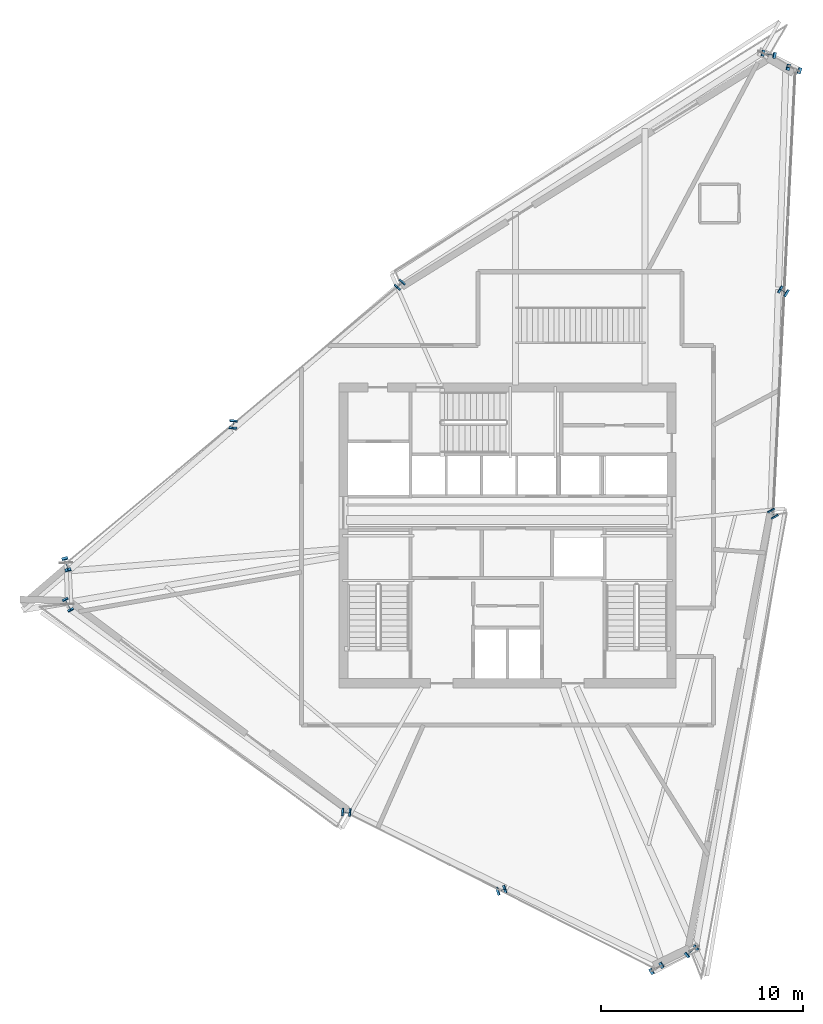
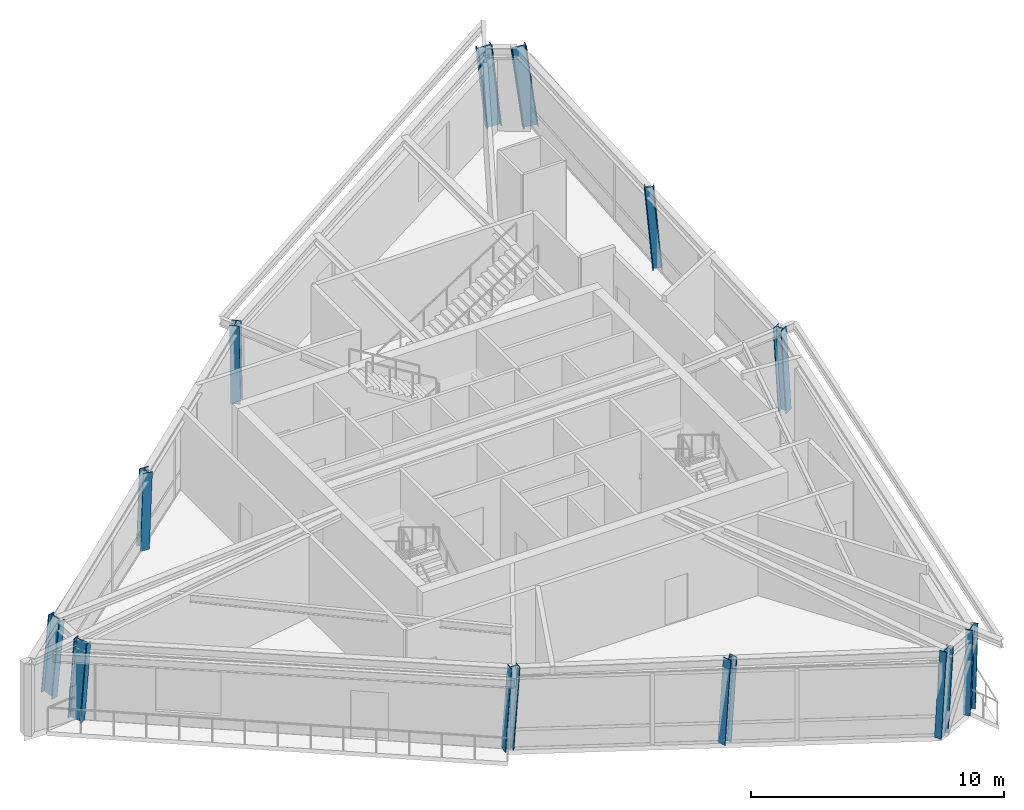
# One storey, part 1 of 21: 12 columns.
"""IFC4 building model written with IfcOpenShell, lengths in metres."""

from ifc_helpers import new_model, si_unit, direction, frame, origin, origin_2d, place, context, subcontext, project, spatial, i_section, extrude, source, transform, mapped, material, material_profile, profile_set, type_object, element, save


model = new_model("IFC4")

# Units and contexts
model_context = context("Model", 3, precision=1e-05, world=origin(), true_north=direction((0.0, 1.0)))
body_context = subcontext(model_context, "Body", "Model", "MODEL_VIEW")
ifc_project = project(units=[si_unit("LENGTHUNIT", "METRE"), si_unit("AREAUNIT", "SQUARE_METRE"), si_unit("VOLUMEUNIT", "CUBIC_METRE"), si_unit("PLANEANGLEUNIT", "RADIAN"), si_unit("MASSUNIT", "GRAM", prefix="KILO")], contexts=[model_context])

# Site, building, storey
site_placement = place(None, origin())
site = spatial("IfcSite", under=ifc_project, at=site_placement, CompositionType="ELEMENT")
building_placement = place(site_placement, origin())
building = spatial("IfcBuilding", under=site, at=building_placement, Name="Olszyna Solenne Hotel", CompositionType="ELEMENT")
storey_placement = place(building_placement, frame((0.0, 0.0, 277.699951171875)))
storey = spatial("IfcBuildingStorey", under=building, at=storey_placement, Name="L74", CompositionType="ELEMENT", Elevation=277.699951171875)

# Columns
ifc_material_1 = material(Name="Steel S460M", Category="steel")
ifc_material_profile_1 = material_profile(ifc_material_1, i_section(OverallWidth=0.304931640625, OverallDepth=0.6201171875, WebThickness=0.02099609375, FlangeThickness=0.0400390625, at=origin_2d()), Name="HEM 600", Category="load-bearing")
ifc_profile_set_1 = profile_set([ifc_material_profile_1], Name="Steel S460M")
column_type_1 = type_object("IfcColumnType", Name="COL-K3", PredefinedType="COLUMN", material=ifc_profile_set_1)
shared_shape_1 = source(origin(), body_context, "Body", "SweptSolid", [
    extrude(i_section(OverallWidth=0.304931640625, OverallDepth=0.6201171875, WebThickness=0.02099609375, FlangeThickness=0.0400390625, at=origin_2d()), origin(), (0.0, 0.0, 1.0), 3.96484375),
])
column_1_placement = place(storey_placement, frame((52.25048828125, 49.66845703125, 0.0), z_axis=(-0.116565767107, 0.036761628612, 0.992502395262), x_axis=(-0.30076967496, -0.953696808543, 0.0)))
element("IfcColumn", 1, at=column_1_placement, inside=storey, type_object=column_type_1, Name="Perimeter framed-tube column COL-K3 C-L74-01", PredefinedType="COLUMN", context=body_context, shape_type="MappedRepresentation", body=[
    mapped(shared_shape_1, transform((0.0, 0.0, 0.0), x_axis=(1.0, 0.0, 0.0), y_axis=(0.0, 1.0, 0.0), z_axis=(0.0, 0.0, 1.0), scale=1.0)),
])
shared_shape_2 = source(origin(), body_context, "Body", "SweptSolid", [
    extrude(i_section(OverallWidth=0.304931640625, OverallDepth=0.6201171875, WebThickness=0.02099609375, FlangeThickness=0.0400390625, at=origin_2d()), origin(), (0.0, 0.0, 1.0), 3.954833984375),
])
column_2_placement = place(storey_placement, frame((50.9912109375, 50.40869140625, 0.0), z_axis=(-0.098091029512, 0.019568820865, 0.994985030631), x_axis=(-0.195641369689, -0.980675509262, 0.0)))
element("IfcColumn", 2, at=column_2_placement, inside=storey, type_object=column_type_1, Name="Perimeter framed-tube column COL-K3 C-L74-02", PredefinedType="COLUMN", context=body_context, shape_type="MappedRepresentation", body=[
    mapped(shared_shape_2, transform((0.0, 0.0, 0.0), x_axis=(1.0, 0.0, 0.0), y_axis=(0.0, 1.0, 0.0), z_axis=(0.0, 0.0, 1.0), scale=1.0)),
])
ifc_material_2 = material(Name="Steel S355J2", Category="steel")
ifc_material_profile_2 = material_profile(ifc_material_2, i_section(OverallWidth=0.39794921875, OverallDepth=0.386962890625, WebThickness=0.0185546875, FlangeThickness=0.029052734375, at=origin_2d()), Name="HD 400x262", Category="load-bearing")
ifc_profile_set_2 = profile_set([ifc_material_profile_2], Name="Steel S355J2")
column_type_2 = type_object("IfcColumnType", Name="COL-T6", PredefinedType="COLUMN", material=ifc_profile_set_2)
shared_shape_3 = source(origin(), body_context, "Body", "SweptSolid", [
    extrude(i_section(OverallWidth=0.39794921875, OverallDepth=0.386962890625, WebThickness=0.0185546875, FlangeThickness=0.029052734375, at=origin_2d()), origin(), (0.0, 0.0, 1.0), 3.942138671875),
])
column_3_placement = place(storey_placement, frame((32.689208984375, 39.033447265625, 0.0), z_axis=(-0.040194461777, -0.043724637927, 0.998234722538), x_axis=(0.736201135631, -0.676762800318, 0.0)))
element("IfcColumn", 3, at=column_3_placement, inside=storey, type_object=column_type_2, Name="Perimeter framed-tube column COL-T6 C-L74-03", PredefinedType="COLUMN", context=body_context, shape_type="MappedRepresentation", body=[
    mapped(shared_shape_3, transform((0.0, 0.0, 0.0), x_axis=(1.0, 0.0, 0.0), y_axis=(0.0, 1.0, 0.0), z_axis=(0.0, 0.0, 1.0), scale=1.0)),
])
shared_shape_4 = source(origin(), body_context, "Body", "SweptSolid", [
    extrude(i_section(OverallWidth=0.39794921875, OverallDepth=0.386962890625, WebThickness=0.0185546875, FlangeThickness=0.029052734375, at=origin_2d()), origin(), (0.0, 0.0, 1.0), 3.9453125),
])
column_4_placement = place(storey_placement, frame((24.4169921875, 32.130126953125, 0.0), z_axis=(-0.006311849175, -0.071843695024, 0.997395931436), x_axis=(0.996162921668, -0.087518189501, 0.0)))
element("IfcColumn", 4, at=column_4_placement, inside=storey, type_object=column_type_2, Name="Perimeter framed-tube column COL-T6 C-L74-04", PredefinedType="COLUMN", context=body_context, shape_type="MappedRepresentation", body=[
    mapped(shared_shape_4, transform((0.0, 0.0, 0.0), x_axis=(1.0, 0.0, 0.0), y_axis=(0.0, 1.0, 0.0), z_axis=(0.0, 0.0, 1.0), scale=1.0)),
])
shared_shape_5 = source(origin(), body_context, "Body", "SweptSolid", [
    extrude(i_section(OverallWidth=0.304931640625, OverallDepth=0.6201171875, WebThickness=0.02099609375, FlangeThickness=0.0400390625, at=origin_2d()), origin(), (0.0, 0.0, 1.0), 3.956298828125),
])
column_5_placement = place(storey_placement, frame((16.14453125, 25.226806640625, 0.0), z_axis=(0.027522629563, -0.099661539784, 0.99464068002), x_axis=(0.963918716253, 0.266196747646, 0.0)))
element("IfcColumn", 5, at=column_5_placement, inside=storey, type_object=column_type_1, Name="Perimeter framed-tube column COL-K3 C-L74-05", PredefinedType="COLUMN", context=body_context, shape_type="MappedRepresentation", body=[
    mapped(shared_shape_5, transform((0.0, 0.0, 0.0), x_axis=(1.0, 0.0, 0.0), y_axis=(0.0, 1.0, 0.0), z_axis=(0.0, 0.0, 1.0), scale=1.0)),
])
shared_shape_6 = source(origin(), body_context, "Body", "SweptSolid", [
    extrude(i_section(OverallWidth=0.304931640625, OverallDepth=0.6201171875, WebThickness=0.02099609375, FlangeThickness=0.0400390625, at=origin_2d()), origin(), (0.0, 0.0, 1.0), 3.94580078125),
])
column_6_placement = place(storey_placement, frame((16.215087890625, 23.203857421875, 0.0), z_axis=(0.033907558739, -0.065092612761, 0.997302977647), x_axis=(0.886885299691, 0.461989680828, 0.0)))
element("IfcColumn", 6, at=column_6_placement, inside=storey, type_object=column_type_1, Name="Perimeter framed-tube column COL-K3 C-L74-06", PredefinedType="COLUMN", context=body_context, shape_type="MappedRepresentation", body=[
    mapped(shared_shape_6, transform((0.0, 0.0, 0.0), x_axis=(1.0, 0.0, 0.0), y_axis=(0.0, 1.0, 0.0), z_axis=(0.0, 0.0, 1.0), scale=1.0)),
])
shared_shape_7 = source(origin(), body_context, "Body", "SweptSolid", [
    extrude(i_section(OverallWidth=0.39794921875, OverallDepth=0.386962890625, WebThickness=0.0185546875, FlangeThickness=0.029052734375, at=origin_2d()), origin(), (0.0, 0.0, 1.0), 3.944580078125),
])
column_7_placement = place(storey_placement, frame((29.9765625, 12.889404296875, 0.0), z_axis=(0.068826100896, -0.006560761416, 0.997607099135), x_axis=(0.094893585197, 0.995487422064, 0.0)))
element("IfcColumn", 7, at=column_7_placement, inside=storey, type_object=column_type_2, Name="Perimeter framed-tube column COL-T6 C-L74-07", PredefinedType="COLUMN", context=body_context, shape_type="MappedRepresentation", body=[
    mapped(shared_shape_7, transform((0.0, 0.0, 0.0), x_axis=(1.0, 0.0, 0.0), y_axis=(0.0, 1.0, 0.0), z_axis=(0.0, 0.0, 1.0), scale=1.0)),
])
shared_shape_8 = source(origin(), body_context, "Body", "SweptSolid", [
    extrude(i_section(OverallWidth=0.39794921875, OverallDepth=0.386962890625, WebThickness=0.0185546875, FlangeThickness=0.029052734375, at=origin_2d()), origin(), (0.0, 0.0, 1.0), 3.949462890625),
])
column_8_placement = place(storey_placement, frame((37.648681640625, 9.00634765625, 0.0), z_axis=(0.081104376536, 0.025777839189, 0.996372211131), x_axis=(-0.302903819807, 0.953021130902, 0.0)))
element("IfcColumn", 8, at=column_8_placement, inside=storey, type_object=column_type_2, Name="Perimeter framed-tube column COL-T6 C-L74-08", PredefinedType="COLUMN", context=body_context, shape_type="MappedRepresentation", body=[
    mapped(shared_shape_8, transform((0.0, 0.0, 0.0), x_axis=(1.0, 0.0, 0.0), y_axis=(0.0, 1.0, 0.0), z_axis=(0.0, 0.0, 1.0), scale=1.0)),
])
shared_shape_9 = source(origin(), body_context, "Body", "SweptSolid", [
    extrude(i_section(OverallWidth=0.304931640625, OverallDepth=0.6201171875, WebThickness=0.02099609375, FlangeThickness=0.0400390625, at=origin_2d()), origin(), (0.0, 0.0, 1.0), 3.958984375),
])
column_9_placement = place(storey_placement, frame((45.32080078125, 5.123291015625, 0.0), z_axis=(0.093241063797, 0.057967328022, 0.993954673466), x_axis=(-0.527977918336, 0.84925809843, 0.0)))
element("IfcColumn", 9, at=column_9_placement, inside=storey, type_object=column_type_1, Name="Perimeter framed-tube column COL-K3 C-L74-09", PredefinedType="COLUMN", context=body_context, shape_type="MappedRepresentation", body=[
    mapped(shared_shape_9, transform((0.0, 0.0, 0.0), x_axis=(1.0, 0.0, 0.0), y_axis=(0.0, 1.0, 0.0), z_axis=(0.0, 0.0, 1.0), scale=1.0)),
])
shared_shape_10 = source(origin(), body_context, "Body", "SweptSolid", [
    extrude(i_section(OverallWidth=0.304931640625, OverallDepth=0.6201171875, WebThickness=0.02099609375, FlangeThickness=0.0400390625, at=origin_2d()), origin(), (0.0, 0.0, 1.0), 3.947265625),
])
column_10_placement = place(storey_placement, frame((47.077880859375, 5.968994140625, 0.0), z_axis=(0.060366430178, 0.050222890681, 0.996912009838), x_axis=(-0.639564408319, 0.768737515418, 0.0)))
element("IfcColumn", 10, at=column_10_placement, inside=storey, type_object=column_type_1, Name="Perimeter framed-tube column COL-K3 C-L74-10", PredefinedType="COLUMN", context=body_context, shape_type="MappedRepresentation", body=[
    mapped(shared_shape_10, transform((0.0, 0.0, 0.0), x_axis=(1.0, 0.0, 0.0), y_axis=(0.0, 1.0, 0.0), z_axis=(0.0, 0.0, 1.0), scale=1.0)),
])
shared_shape_11 = source(origin(), body_context, "Body", "SweptSolid", [
    extrude(i_section(OverallWidth=0.39794921875, OverallDepth=0.386962890625, WebThickness=0.0185546875, FlangeThickness=0.029052734375, at=origin_2d()), origin(), (0.0, 0.0, 1.0), 3.94140625),
])
column_11_placement = place(storey_placement, frame((51.15380859375, 27.642333984375, 0.0), z_axis=(-0.027750061815, 0.049615623914, 0.998382804305), x_axis=(-0.872766014986, -0.488138794899, 0.0)))
element("IfcColumn", 11, at=column_11_placement, inside=storey, type_object=column_type_2, Name="Perimeter framed-tube column COL-T6 C-L74-11", PredefinedType="COLUMN", context=body_context, shape_type="MappedRepresentation", body=[
    mapped(shared_shape_11, transform((0.0, 0.0, 0.0), x_axis=(1.0, 0.0, 0.0), y_axis=(0.0, 1.0, 0.0), z_axis=(0.0, 0.0, 1.0), scale=1.0)),
])
shared_shape_12 = source(origin(), body_context, "Body", "SweptSolid", [
    extrude(i_section(OverallWidth=0.39794921875, OverallDepth=0.386962890625, WebThickness=0.0185546875, FlangeThickness=0.029052734375, at=origin_2d()), origin(), (0.0, 0.0, 1.0), 3.948974609375),
])
column_12_placement = place(storey_placement, frame((51.701904296875, 38.655517578125, 0.0), z_axis=(-0.072270027482, 0.043213643464, 0.996448505517), x_axis=(-0.513199536889, -0.858269325641, 0.0)))
element("IfcColumn", 12, at=column_12_placement, inside=storey, type_object=column_type_2, Name="Perimeter framed-tube column COL-T6 C-L74-12", PredefinedType="COLUMN", context=body_context, shape_type="MappedRepresentation", body=[
    mapped(shared_shape_12, transform((0.0, 0.0, 0.0), x_axis=(1.0, 0.0, 0.0), y_axis=(0.0, 1.0, 0.0), z_axis=(0.0, 0.0, 1.0), scale=1.0)),
])

save(model, "model.ifc")
